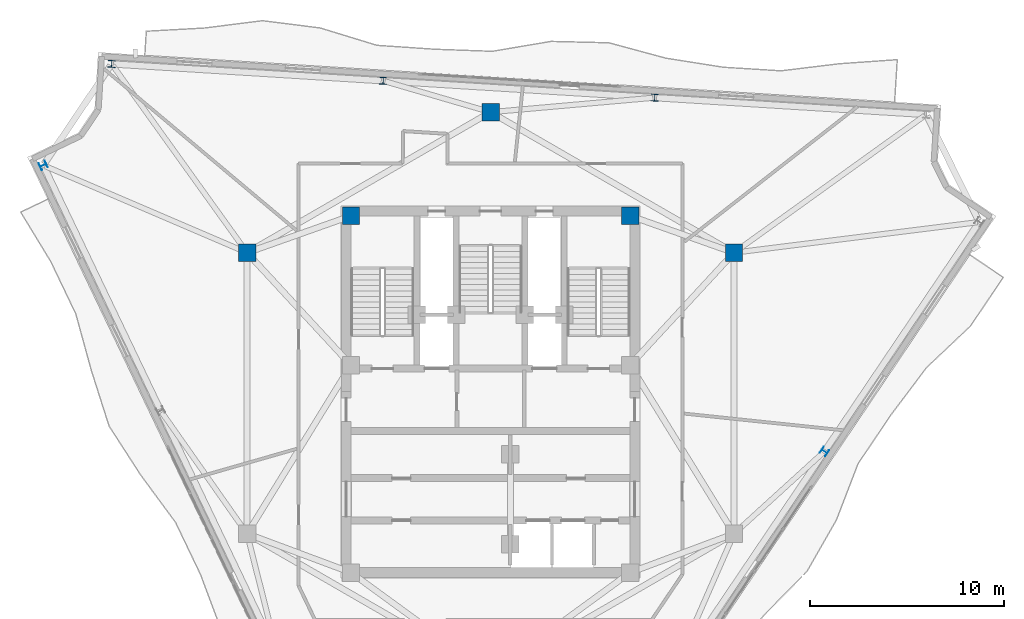
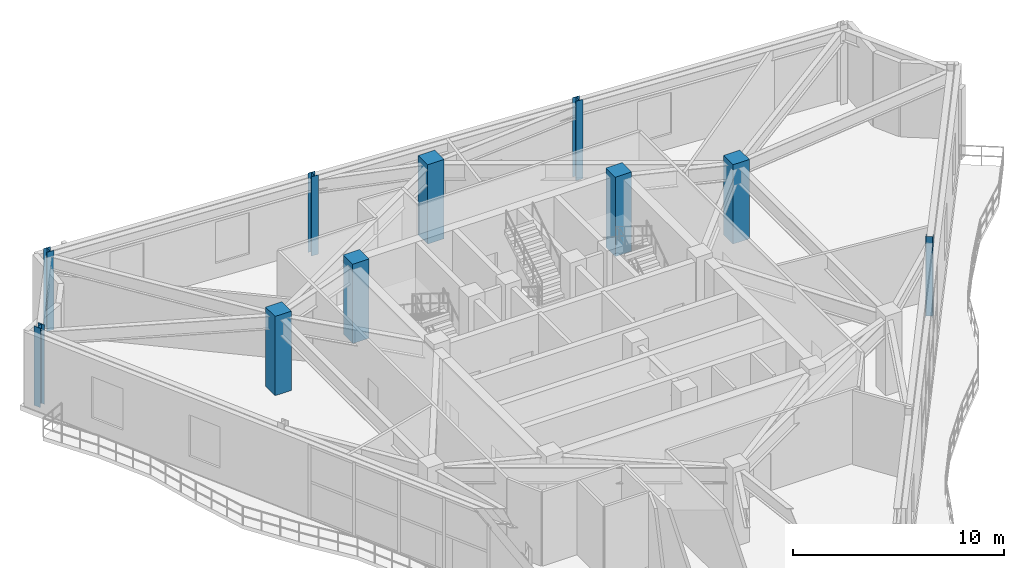
# One storey, part 2 of 15: 10 columns.
"""IFC4 building model written with IfcOpenShell, lengths in metres."""

from ifc_helpers import new_model, si_unit, direction, frame, origin, origin_2d, place, context, subcontext, project, spatial, rectangle, i_section, extrude, material, material_profile, profile_set, type_object, element, save


model = new_model("IFC4")

# Units and contexts
model_context = context("Model", 3, precision=1e-05, world=origin(), true_north=direction((0.0, 1.0)))
body_context = subcontext(model_context, "Body", "Model", "MODEL_VIEW")
ifc_project = project(units=[si_unit("LENGTHUNIT", "METRE"), si_unit("AREAUNIT", "SQUARE_METRE"), si_unit("VOLUMEUNIT", "CUBIC_METRE"), si_unit("PLANEANGLEUNIT", "RADIAN"), si_unit("MASSUNIT", "GRAM", prefix="KILO")], contexts=[model_context])

# Site, building, storey
site_placement = place(None, origin())
site = spatial("IfcSite", under=ifc_project, at=site_placement, CompositionType="ELEMENT")
building_placement = place(site_placement, origin())
building = spatial("IfcBuilding", under=site, at=building_placement, Name="Apsidion Concourse Tower", CompositionType="ELEMENT")
storey_placement = place(building_placement, frame((0.0, 0.0, 323.39990234375)))
storey = spatial("IfcBuildingStorey", under=building, at=storey_placement, Name="L76", CompositionType="ELEMENT", Elevation=323.39990234375)

# Columns
ifc_material_1 = material(Name="Concrete C50/60", Category="concrete")
ifc_material_profile_1 = material_profile(ifc_material_1, rectangle(XDim=0.89990234375, YDim=0.89990234375, at=origin_2d()), Name="RC 900x900")
ifc_profile_set_1 = profile_set([ifc_material_profile_1], Name="Concrete C50/60")
column_type_1 = type_object("IfcColumnType", Name="COL-RC-900", PredefinedType="COLUMN", material=ifc_profile_set_1)
for number, where, z_axis, x_axis, name in (
    (1, (7.199951171875, 9.14990234375, 0.0), (0.0, 0.0, 1.0), (1.0, 0.0, 0.0), "L76 Core Super-Column SC4"),
    (2, (-7.199951171875, 9.14990234375, 0.0), (0.0, 0.0, 1.0), (1.0, 0.0, 0.0), "L76 Core Super-Column SC5"),
    (3, (12.56005859375, 7.25, 0.0), (0.0, 0.0, 1.0), (1.0, 0.0, 0.0), "L76 Interior Spine Column IC3"),
    (4, (0.0, 14.5, 0.0), (0.0, 0.0, 1.0), (1.0, 0.0, 0.0), "L76 Interior Spine Column IC4"),
    (5, (-12.56005859375, 7.25, 0.0), (0.0, 0.0, 1.0), (1.0, 0.0, 0.0), "L76 Interior Spine Column IC5"),
):
    element("IfcColumn", number, at=place(storey_placement, frame(where, z_axis=z_axis, x_axis=x_axis)), inside=storey, type_object=column_type_1, Name=name, PredefinedType="COLUMN", context=body_context, shape_type="SweptSolid", body=[
        extrude(rectangle(XDim=0.89990234375, YDim=0.89990234375, at=origin_2d()), origin(), (0.0, 0.0, 1.0), 4.60009765625),
    ])
ifc_material_2 = material(Name="Structural steel ASTM A992 Grade 50", Category="steel")
ifc_material_profile_2 = material_profile(ifc_material_2, i_section(OverallWidth=0.367919921875, OverallDepth=0.35595703125, WebThickness=0.01123046875, FlangeThickness=0.01806640625, at=origin_2d()), Name="W14X90")
ifc_profile_set_2 = profile_set([ifc_material_profile_2], Name="Structural steel ASTM A992 Grade 50")
column_type_2 = type_object("IfcColumnType", Name="COL-W14-90", PredefinedType="COLUMN", material=ifc_profile_set_2)
for number, where, z_axis, x_axis, name in (
    (6, (-23.0732421875, 11.758544921875, 0.0), (0.0, 0.0, 1.0), (-0.431298587031, 0.902209248913, 0.0), "L76 Rotated Perimeter Column PC01"),
    (7, (17.223876953125, -3.005615234375, 0.0), (0.0, 0.0, 1.0), (0.559192903471, 0.829037572555, 0.0), "L76 Rotated Perimeter Column PC07"),
    (8, (8.469482421875, 15.24853515625, 0.0), (0.0, 0.0, 1.0), (-0.998081143466, 0.061919553109, 0.0), "L76 Rotated Perimeter Column PC10"),
    (9, (-5.5380859375, 16.118408203125, 0.0), (0.0, 0.0, 1.0), (-0.998081143466, 0.061919553109, 0.0), "L76 Rotated Perimeter Column PC11"),
    (10, (-19.5458984375, 16.98828125, 0.0), (0.0, 0.0, 1.0), (-0.998081143466, 0.061919553109, 0.0), "L76 Rotated Perimeter Column PC12"),
):
    element("IfcColumn", number, at=place(storey_placement, frame(where, z_axis=z_axis, x_axis=x_axis)), inside=storey, type_object=column_type_2, Name=name, PredefinedType="COLUMN", context=body_context, shape_type="SweptSolid", body=[
        extrude(i_section(OverallWidth=0.367919921875, OverallDepth=0.35595703125, WebThickness=0.01123046875, FlangeThickness=0.01806640625, at=origin_2d()), origin(), (0.0, 0.0, 1.0), 4.60009765625),
    ])

save(model, "model.ifc")
